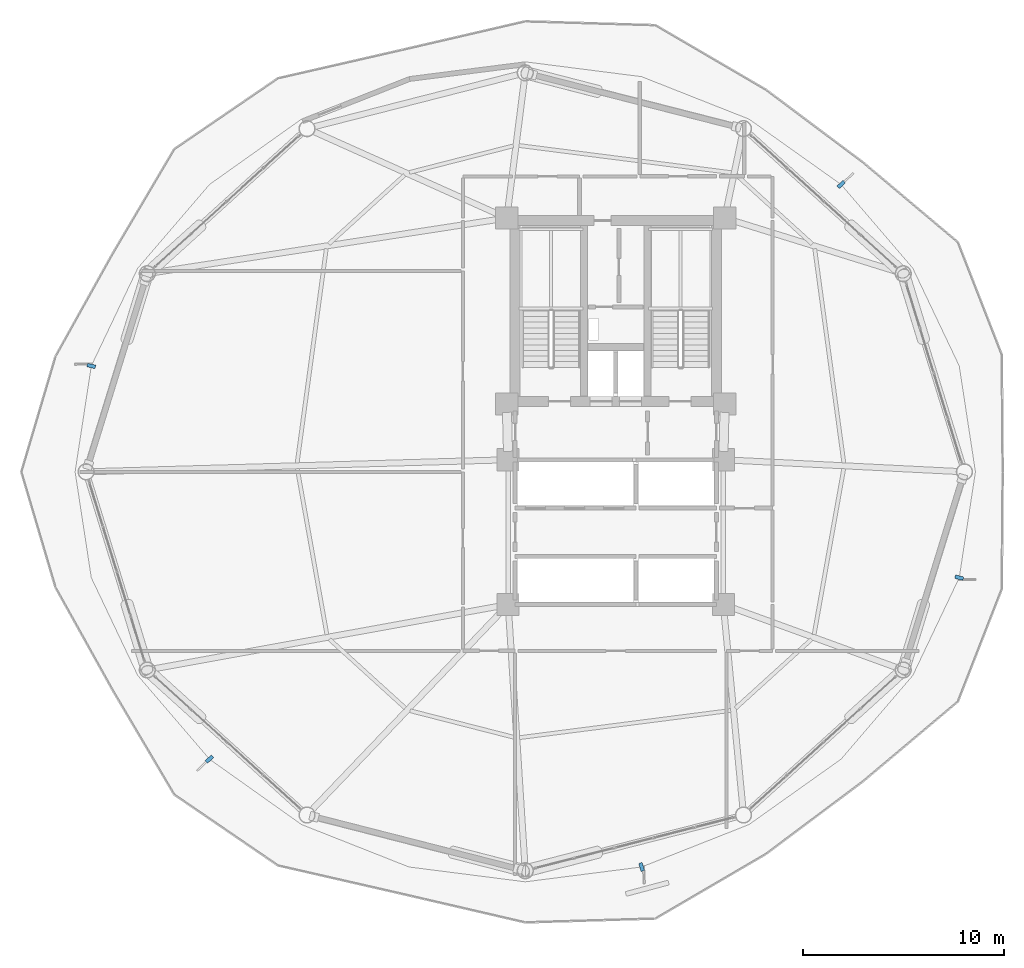
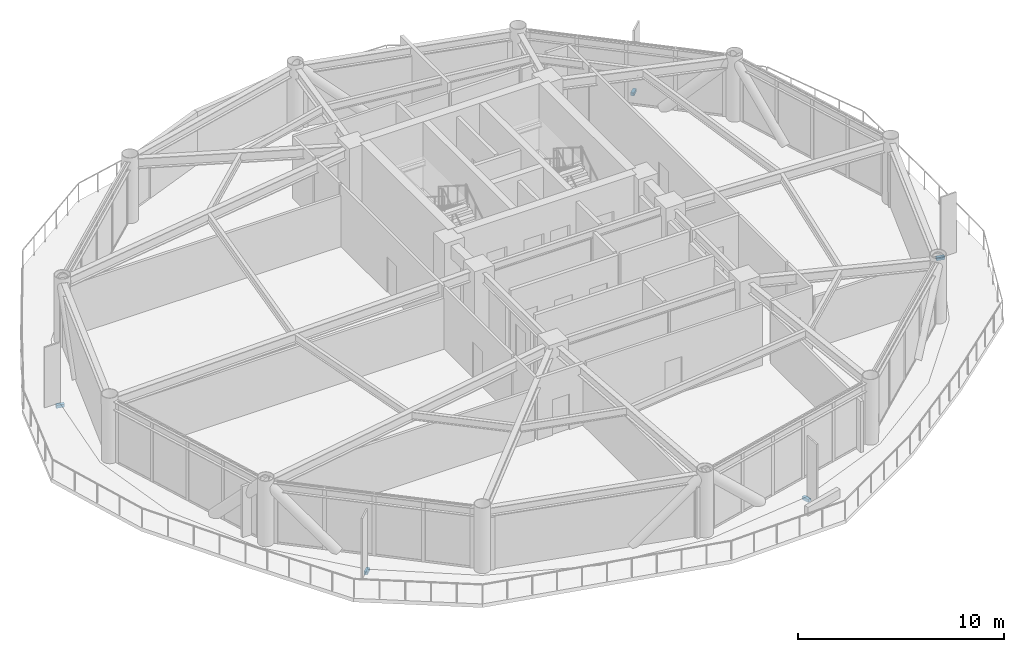
# One storey, part 21 of 23: 5 discrete accessories.
"""IFC4 building model written with IfcOpenShell, lengths in metres."""

from ifc_helpers import new_model, si_unit, direction, frame, origin, origin_2d, place, context, subcontext, project, spatial, rectangle, extrude, source, transform, mapped, material, type_object, type_shapes, element, save


model = new_model("IFC4")

# Units and contexts
model_context = context("Model", 3, precision=1e-05, world=origin(), true_north=direction((0.0, 1.0)))
body_context = subcontext(model_context, "Body", "Model", "MODEL_VIEW")
ifc_project = project(units=[si_unit("LENGTHUNIT", "METRE"), si_unit("AREAUNIT", "SQUARE_METRE"), si_unit("VOLUMEUNIT", "CUBIC_METRE"), si_unit("PLANEANGLEUNIT", "RADIAN"), si_unit("MASSUNIT", "GRAM", prefix="KILO")], contexts=[model_context])

# Site, building, storey
site_placement = place(None, origin())
site = spatial("IfcSite", under=ifc_project, at=site_placement, CompositionType="ELEMENT")
building_placement = place(site_placement, origin())
building = spatial("IfcBuilding", under=site, at=building_placement, Name="Varnakorn Sky Granary", CompositionType="ELEMENT")
storey_placement = place(building_placement, frame((0.0, 0.0, 83.699951171875)))
storey = spatial("IfcBuildingStorey", under=building, at=storey_placement, Name="L20", CompositionType="ELEMENT", Elevation=83.699951171875)

# Discrete accessories
ifc_material = material(Name="Steel S355JR", Category="steel")
discrete_accessory_type = type_object("IfcDiscreteAccessoryType", Name="AC-BRK-01", PredefinedType="BRACKET", material=ifc_material)
shared_shape = source(origin(), body_context, "Body", "SweptSolid", [
    extrude(rectangle(XDim=0.179931640625, YDim=0.419921875, at=origin_2d()), origin(), (0.0, 0.0, 1.0), 0.179931640625),
])
type_shapes(discrete_accessory_type, [shared_shape])
for number, where, z_axis, x_axis, name in (
    (1, (14.208740234375, 14.287841796875, -0.19970703125), (0.0, 0.0, 1.0), (-0.672859471353, 0.739770323689, 0.0), "Facade Solar-Screen Outrigger Bracket L20-02"),
    (2, (-23.084228515625, 5.263427734375, -0.19970703125), (0.0, 0.0, 1.0), (-0.236916695211, -0.971529968416, 0.0), "Facade Solar-Screen Outrigger Bracket L20-06"),
    (3, (-17.208740234375, -14.287841796875, -0.19970703125), (0.0, 0.0, 1.0), (0.672859471353, -0.739770323689, 0.0), "Facade Solar-Screen Outrigger Bracket L20-08"),
    (4, (4.2861328125, -19.65283203125, -0.19970703125), (0.0, 0.0, 1.0), (0.959287203302, 0.282432401789, 0.0), "Facade Solar-Screen Outrigger Bracket L20-10"),
    (5, (20.084228515625, -5.263427734375, -0.19970703125), (0.0, 0.0, 1.0), (0.236916695211, 0.971529968416, 0.0), "Facade Solar-Screen Outrigger Bracket L20-12"),
):
    element("IfcDiscreteAccessory", number, at=place(storey_placement, frame(where, z_axis=z_axis, x_axis=x_axis)), inside=storey, type_object=discrete_accessory_type, Name=name, PredefinedType="BRACKET", context=body_context, shape_type="MappedRepresentation", body=[
        mapped(shared_shape, transform((0.0, 0.0, 0.0), x_axis=(1.0, 0.0, 0.0), y_axis=(0.0, 1.0, 0.0), z_axis=(0.0, 0.0, 1.0), scale=1.0)),
    ])

save(model, "model.ifc")
